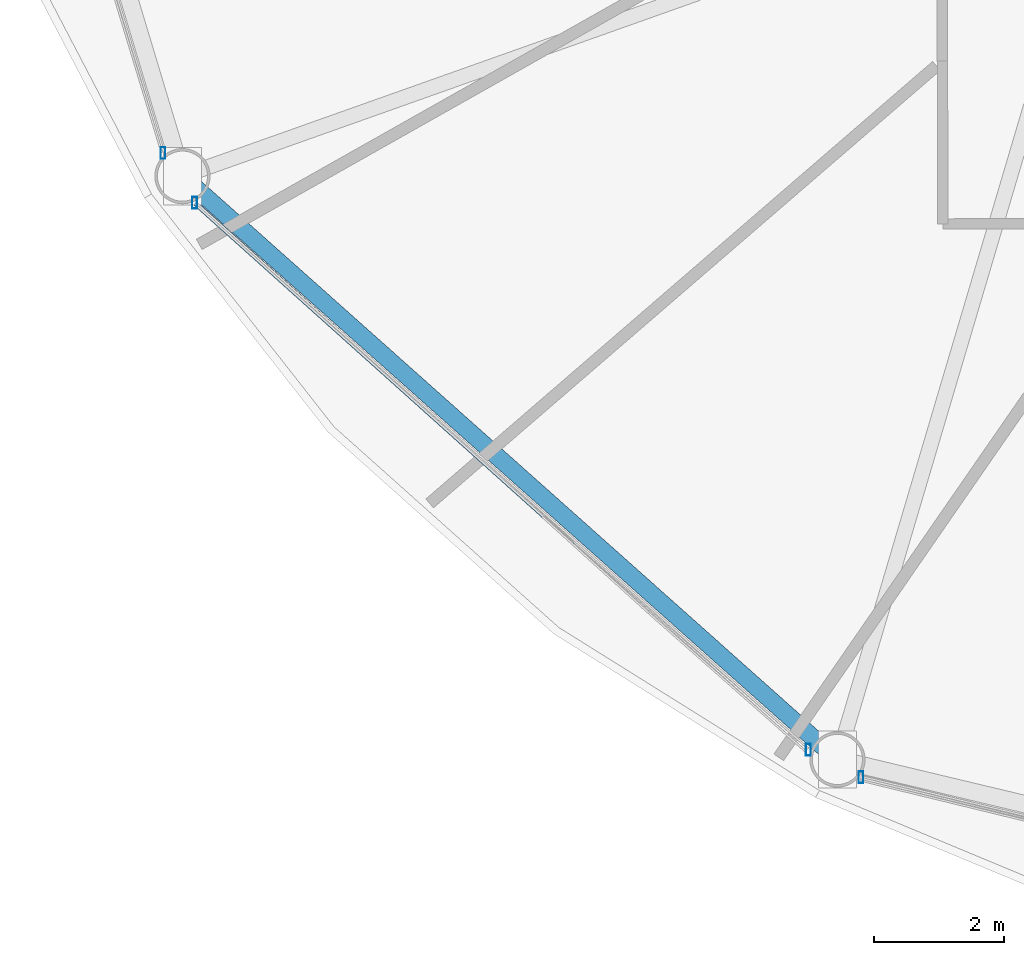
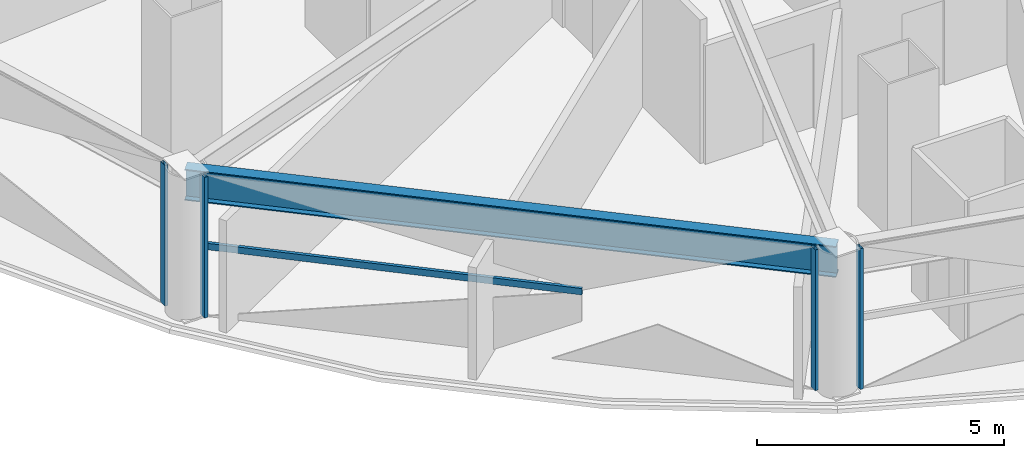
# One storey, part 2 of 30: 5 members, 1 beam, 3 elements without a shape of their own.
"""IFC4 building model written with IfcOpenShell, lengths in metres."""

from ifc_helpers import new_model, si_unit, direction, frame, origin, origin_2d, place, context, subcontext, project, spatial, hollow_rectangle, i_section, extrude, material, layer, layer_set, material_profile, profile_set, type_object, element, aggregate, save


model = new_model("IFC4")

# Units and contexts
model_context = context("Model", 3, precision=1e-05, world=origin(), true_north=direction((0.0, 1.0)))
body_context = subcontext(model_context, "Body", "Model", "MODEL_VIEW")
ifc_project = project(units=[si_unit("LENGTHUNIT", "METRE"), si_unit("AREAUNIT", "SQUARE_METRE"), si_unit("VOLUMEUNIT", "CUBIC_METRE"), si_unit("PLANEANGLEUNIT", "RADIAN"), si_unit("MASSUNIT", "GRAM", prefix="KILO")], contexts=[model_context])

# Site, building, storey
site_placement = place(None, origin())
site = spatial("IfcSite", under=ifc_project, at=site_placement, CompositionType="ELEMENT")
building_placement = place(site_placement, origin())
building = spatial("IfcBuilding", under=site, at=building_placement, Name="Vantalir Tower", CompositionType="ELEMENT")
storey_placement = place(building_placement, frame((0.0, 0.0, 83.25)))
storey = spatial("IfcBuildingStorey", under=building, at=storey_placement, Name="L20", CompositionType="ELEMENT", Elevation=83.25)

# Beam
ifc_material_1 = material(Name="Steel S460", Category="steel")
ifc_material_profile_1 = material_profile(ifc_material_1, i_section(OverallWidth=0.26806640625, OverallDepth=0.77001953125, WebThickness=0.015625, FlangeThickness=0.025390625, at=origin_2d()), Name="Steel S460")
ifc_profile_set_1 = profile_set([ifc_material_profile_1], Name="Steel S460")
beam_type = type_object("IfcBeamType", Name="BM-RG-762x267", PredefinedType="USERDEFINED", material=ifc_profile_set_1)
beam_placement = place(storey_placement, frame((7.68408203125, 12.751953125, 3.18505859375), z_axis=(0.74676942142, -0.665083025819, 0.0), x_axis=(0.665083025819, 0.74676942142, 0.0)))
element("IfcBeam", 1, at=beam_placement, inside=storey, type_object=beam_type, Name="L20 Circumferential Ring Girder 08", ObjectType="GIRDER", PredefinedType="USERDEFINED", context=body_context, shape_type="SweptSolid", body=[
    extrude(i_section(OverallWidth=0.26806640625, OverallDepth=0.77001953125, WebThickness=0.015625, FlangeThickness=0.025390625, at=origin_2d()), origin(), (0.0, 0.0, 1.0), 13.479248046875),
])

# Curtain wall, member
ifc_material_2 = material(Name="Champagne-silver PVDF aluminium and double-silver Low-E glass", Category="aluminium")
ifc_layer = layer(ifc_material_2, 0.18994140625)
ifc_layer_set = layer_set([ifc_layer], Name="Champagne-silver PVDF aluminium and double-silver Low-E glass")
curtain_wall_type = type_object("IfcCurtainWallType", Name="CW-DIAMOND-Z1", PredefinedType="USERDEFINED", material=ifc_layer_set)
curtain_wall_1_placement = place(storey_placement, origin())
curtain_wall_1 = element("IfcCurtainWall", 2, at=curtain_wall_1_placement, inside=storey, type_object=curtain_wall_type, Name="L20 Quilted Pyramid-Diamond Curtain Wall S07", ObjectType="UNITISED CURTAIN WALL", PredefinedType="USERDEFINED")
ifc_material_3 = material(Name="Champagne-silver PVDF aluminium 6063-T6", Category="aluminium")
ifc_material_profile_2 = material_profile(ifc_material_3, hollow_rectangle(XDim=0.074951171875, YDim=0.179931640625, WallThickness=0.00390625, at=origin_2d()), Name="Champagne-silver PVDF aluminium 6063-T6")
ifc_profile_set_2 = profile_set([ifc_material_profile_2], Name="Champagne-silver PVDF aluminium 6063-T6")
member_type_1 = type_object("IfcMemberType", Name="CWM-180x75", PredefinedType="MULLION", material=ifc_profile_set_2)
member_1_placement = place(storey_placement, frame((7.385009765625, 13.10693359375, 0.044921875), z_axis=(0.0, 0.0, 1.0), x_axis=(1.0, 0.0, 0.0)))
member_1 = element("IfcMember", 3, at=member_1_placement, type_object=member_type_1, Name="CW-L20-S07 Mullion 2", PredefinedType="MULLION", context=body_context, shape_type="SweptSolid", body=[
    extrude(hollow_rectangle(XDim=0.074951171875, YDim=0.179931640625, WallThickness=0.00390625, at=origin_2d()), origin(), (0.0, 0.0, 1.0), 3.47998046875),
])
aggregate(curtain_wall_1, [member_1])

# Curtain wall, members
curtain_wall_2_placement = place(storey_placement, origin())
curtain_wall_2 = element("IfcCurtainWall", 4, at=curtain_wall_2_placement, inside=storey, type_object=curtain_wall_type, Name="L20 Quilted Pyramid-Diamond Curtain Wall S08", ObjectType="UNITISED CURTAIN WALL", PredefinedType="USERDEFINED")
member_2_placement = place(storey_placement, frame((7.87109375, 12.343994140625, 0.044921875), z_axis=(0.0, 0.0, 1.0), x_axis=(1.0, 0.0, 0.0)))
member_2 = element("IfcMember", 5, at=member_2_placement, type_object=member_type_1, Name="CW-L20-S08 Mullion 1", PredefinedType="MULLION", context=body_context, shape_type="SweptSolid", body=[
    extrude(hollow_rectangle(XDim=0.074951171875, YDim=0.179931640625, WallThickness=0.00390625, at=origin_2d()), origin(), (0.0, 0.0, 1.0), 3.47998046875),
])
member_3_placement = place(storey_placement, frame((17.303955078125, 3.93505859375, 0.044921875), z_axis=(0.0, 0.0, 1.0), x_axis=(1.0, 0.0, 0.0)))
member_3 = element("IfcMember", 6, at=member_3_placement, type_object=member_type_1, Name="CW-L20-S08 Mullion 2", PredefinedType="MULLION", context=body_context, shape_type="SweptSolid", body=[
    extrude(hollow_rectangle(XDim=0.074951171875, YDim=0.179931640625, WallThickness=0.00390625, at=origin_2d()), origin(), (0.0, 0.0, 1.0), 3.47998046875),
])

# Curtain wall, member
curtain_wall_3_placement = place(storey_placement, origin())
curtain_wall_3 = element("IfcCurtainWall", 7, at=curtain_wall_3_placement, inside=storey, type_object=curtain_wall_type, Name="L20 Quilted Pyramid-Diamond Curtain Wall S09", ObjectType="UNITISED CURTAIN WALL", PredefinedType="USERDEFINED")
member_4_placement = place(storey_placement, frame((18.112060546875, 3.512939453125, 0.044921875), z_axis=(0.0, 0.0, 1.0), x_axis=(1.0, 0.0, 0.0)))
member_4 = element("IfcMember", 8, at=member_4_placement, type_object=member_type_1, Name="CW-L20-S09 Mullion 1", PredefinedType="MULLION", context=body_context, shape_type="SweptSolid", body=[
    extrude(hollow_rectangle(XDim=0.074951171875, YDim=0.179931640625, WallThickness=0.00390625, at=origin_2d()), origin(), (0.0, 0.0, 1.0), 3.47998046875),
])
aggregate(curtain_wall_3, [member_4])

# Member
ifc_material_profile_3 = material_profile(ifc_material_3, hollow_rectangle(XDim=0.074951171875, YDim=0.159912109375, WallThickness=0.00390625, at=origin_2d()), Name="Champagne-silver PVDF aluminium 6063-T6")
ifc_profile_set_3 = profile_set([ifc_material_profile_3], Name="Champagne-silver PVDF aluminium 6063-T6")
member_type_2 = type_object("IfcMemberType", Name="CWT-160x75", PredefinedType="USERDEFINED", material=ifc_profile_set_3)
member_5_placement = place(storey_placement, frame((7.87109375, 12.343994140625, 1.784912109375), z_axis=(0.744413456734, -0.667718956922, 0.0), x_axis=(0.667718956922, 0.744413456734, 0.0)))
member_5 = element("IfcMember", 9, at=member_5_placement, type_object=member_type_2, Name="CW-L20-S08 Pyramid Fold Ridge Transom", ObjectType="TRANSOM", PredefinedType="USERDEFINED", context=body_context, shape_type="SweptSolid", body=[
    extrude(hollow_rectangle(XDim=0.074951171875, YDim=0.159912109375, WallThickness=0.00390625, at=origin_2d()), origin(), (0.0, 0.0, 1.0), 7.833984375),
])

aggregate(curtain_wall_2, [member_2, member_3, member_5])

save(model, "model.ifc")
